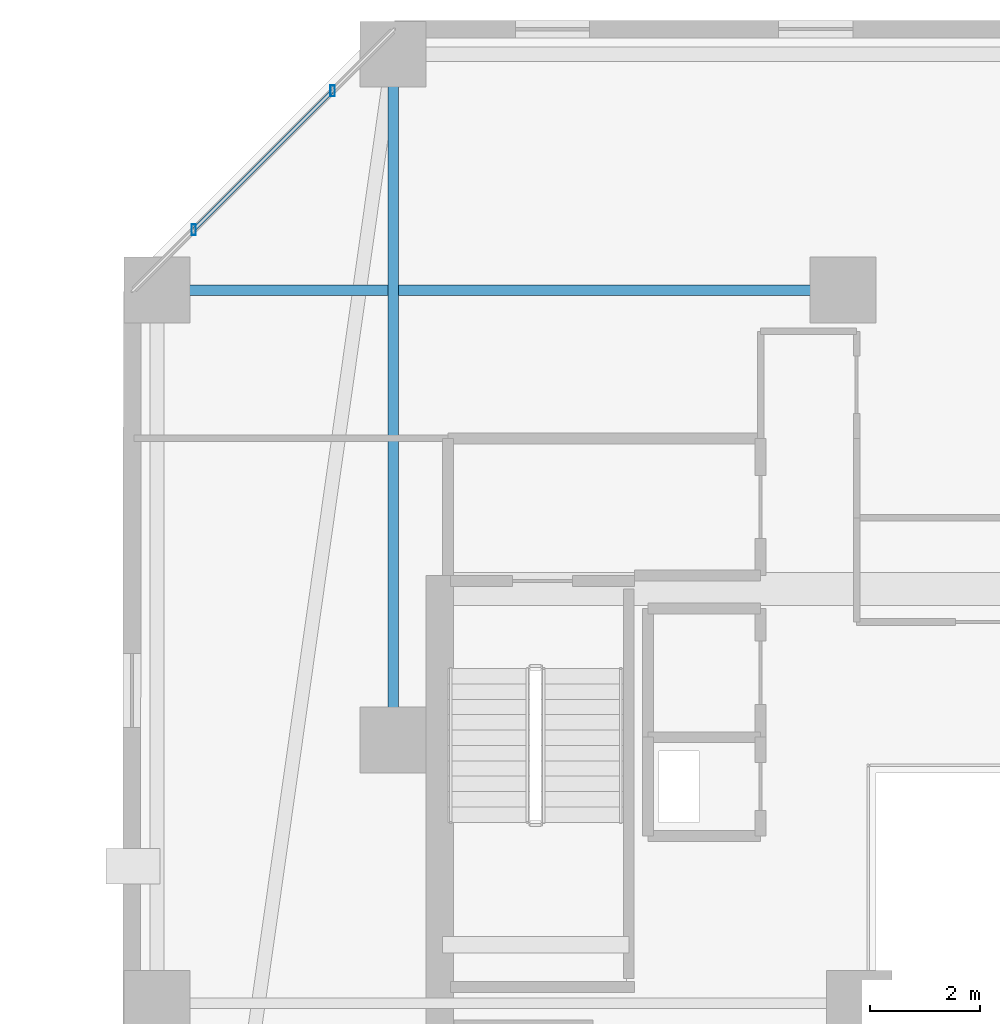
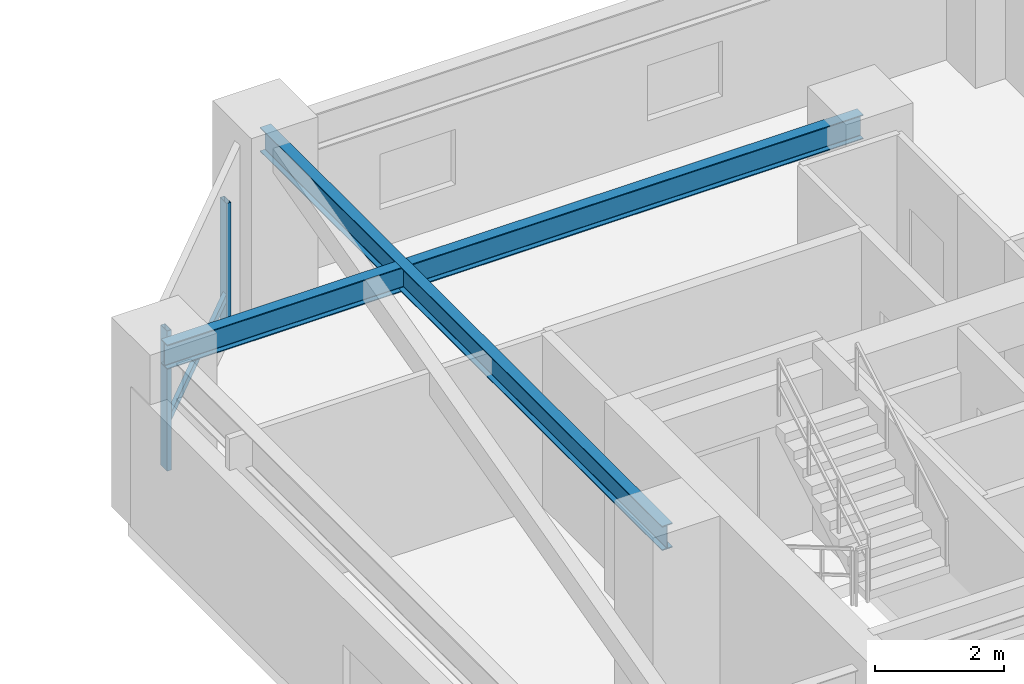
# One storey, part 14 of 34: 3 members, 2 beams, 1 element without a shape of its own.
"""IFC4 building model written with IfcOpenShell, lengths in metres."""

from ifc_helpers import new_model, si_unit, direction, frame, origin, origin_2d, place, context, subcontext, project, spatial, hollow_rectangle, i_section, extrude, material, material_profile, profile_set, type_object, element, aggregate, save


model = new_model("IFC4")

# Units and contexts
model_context = context("Model", 3, precision=1e-05, world=origin(), true_north=direction((0.0, 1.0)))
body_context = subcontext(model_context, "Body", "Model", "MODEL_VIEW")
ifc_project = project(units=[si_unit("LENGTHUNIT", "METRE"), si_unit("AREAUNIT", "SQUARE_METRE"), si_unit("VOLUMEUNIT", "CUBIC_METRE"), si_unit("PLANEANGLEUNIT", "RADIAN"), si_unit("MASSUNIT", "GRAM", prefix="KILO")], contexts=[model_context])

# Site, building, storey
site_placement = place(None, origin())
site = spatial("IfcSite", under=ifc_project, at=site_placement, CompositionType="ELEMENT")
building_placement = place(site_placement, origin())
building = spatial("IfcBuilding", under=site, at=building_placement, Name="Thornwick Lancets Civic Towers", CompositionType="ELEMENT")
storey_placement = place(building_placement, frame((0.0, 0.0, 137.699951171875)))
storey = spatial("IfcBuildingStorey", under=building, at=storey_placement, Name="L36", CompositionType="ELEMENT", Elevation=137.699951171875)

# Beams
ifc_material_1 = material(Name="Steel S355JR", Category="steel")
ifc_material_profile_1 = material_profile(ifc_material_1, i_section(OverallWidth=0.19189453125, OverallDepth=0.46337890625, WebThickness=0.010498046875, FlangeThickness=0.017578125, FilletRadius=0.01025390625, at=origin_2d()), Name="UKB 457x191x89")
ifc_profile_set_1 = profile_set([ifc_material_profile_1], Name="Steel S355JR")
beam_type = type_object("IfcBeamType", Name="BM_JOIST_457_89", PredefinedType="JOIST", material=ifc_profile_set_1)
for number, where, z_axis, x_axis, name in (
    (1, (75.5, 31.800048828125, 3.04833984375), (0.0, 1.0, 0.0), (-1.0, 0.0, 0.0), "BM-RADIN-L36-B06"),
    (2, (83.699951171875, 40.0, 3.04833984375), (-1.0, 0.0, 0.0), (0.0, -1.0, 0.0), "BM-RADIN-L36-B09"),
):
    element("IfcBeam", number, at=place(storey_placement, frame(where, z_axis=z_axis, x_axis=x_axis)), inside=storey, type_object=beam_type, Name=name, PredefinedType="JOIST", context=body_context, shape_type="SweptSolid", body=[
        extrude(i_section(OverallWidth=0.19189453125, OverallDepth=0.46337890625, WebThickness=0.010498046875, FlangeThickness=0.017578125, FilletRadius=0.01025390625, at=origin_2d()), origin(), (0.0, 0.0, 1.0), 12.5),
    ])

# Curtain wall, members
ifc_material_2 = material(Name="Mid-zone chamfered-corner unitised glass curtain wall", Category="glass")
curtain_wall_type = type_object("IfcCurtainWallType", Name="CW_SYS_04", PredefinedType="NOTDEFINED", material=ifc_material_2)
curtain_wall_placement = place(storey_placement, origin())
curtain_wall = element("IfcCurtainWall", 3, at=curtain_wall_placement, inside=storey, type_object=curtain_wall_type, Name="L36 Curtain Wall CW-L36-B-E5", PredefinedType="NOTDEFINED")
ifc_material_3 = material(Name="Thermally broken bronze aluminium S355", Category="steel")
ifc_material_profile_2 = material_profile(ifc_material_3, hollow_rectangle(XDim=0.080078125, YDim=0.199951171875, WallThickness=0.006103515625, at=origin_2d()), Name="RHS 200x80x6")
ifc_profile_set_2 = profile_set([ifc_material_profile_2], Name="Thermally broken bronze aluminium S355")
member_type_1 = type_object("IfcMemberType", Name="CW_MUL_200", PredefinedType="MULLION", material=ifc_profile_set_2)
member_1_placement = place(storey_placement, frame((74.39990234375, 43.63232421875, 0.0), z_axis=(0.0, 0.0, 1.0), x_axis=(1.0, 0.0, 0.0)))
member_1 = element("IfcMember", 4, at=member_1_placement, type_object=member_type_1, Name="CW-L36-B-E5 Mullion 0", PredefinedType="MULLION", context=body_context, shape_type="SweptSolid", body=[
    extrude(hollow_rectangle(XDim=0.080078125, YDim=0.199951171875, WallThickness=0.006103515625, at=origin_2d()), origin(), (0.0, 0.0, 1.0), 2.66015625),
])
member_2_placement = place(storey_placement, frame((71.86767578125, 41.10009765625, 0.0), z_axis=(0.0, 0.0, 1.0), x_axis=(1.0, 0.0, 0.0)))
member_2 = element("IfcMember", 5, at=member_2_placement, type_object=member_type_1, Name="CW-L36-B-E5 Mullion 1", PredefinedType="MULLION", context=body_context, shape_type="SweptSolid", body=[
    extrude(hollow_rectangle(XDim=0.080078125, YDim=0.199951171875, WallThickness=0.006103515625, at=origin_2d()), origin(), (0.0, 0.0, 1.0), 2.66015625),
])
ifc_material_profile_3 = material_profile(ifc_material_3, hollow_rectangle(XDim=0.074951171875, YDim=0.14990234375, WallThickness=0.0048828125, at=origin_2d()), Name="RHS 150x75x5")
ifc_profile_set_3 = profile_set([ifc_material_profile_3], Name="Thermally broken bronze aluminium S355")
member_type_2 = type_object("IfcMemberType", Name="CW_TRN_150", PredefinedType="USERDEFINED", material=ifc_profile_set_3)
member_3_placement = place(storey_placement, frame((74.3857421875, 43.618408203125, 0.85009765625), z_axis=(-0.707106781187, -0.707106781187, 0.0), x_axis=(0.707106781187, -0.707106781187, 0.0)))
member_3 = element("IfcMember", 6, at=member_3_placement, type_object=member_type_2, Name="CW-L36-B-E5 Transom 0", ObjectType="TRANSOM", PredefinedType="USERDEFINED", context=body_context, shape_type="SweptSolid", body=[
    extrude(hollow_rectangle(XDim=0.074951171875, YDim=0.14990234375, WallThickness=0.0048828125, at=origin_2d()), origin(), (0.0, 0.0, 1.0), 3.54150390625),
])
aggregate(curtain_wall, [member_1, member_2, member_3])

save(model, "model.ifc")
